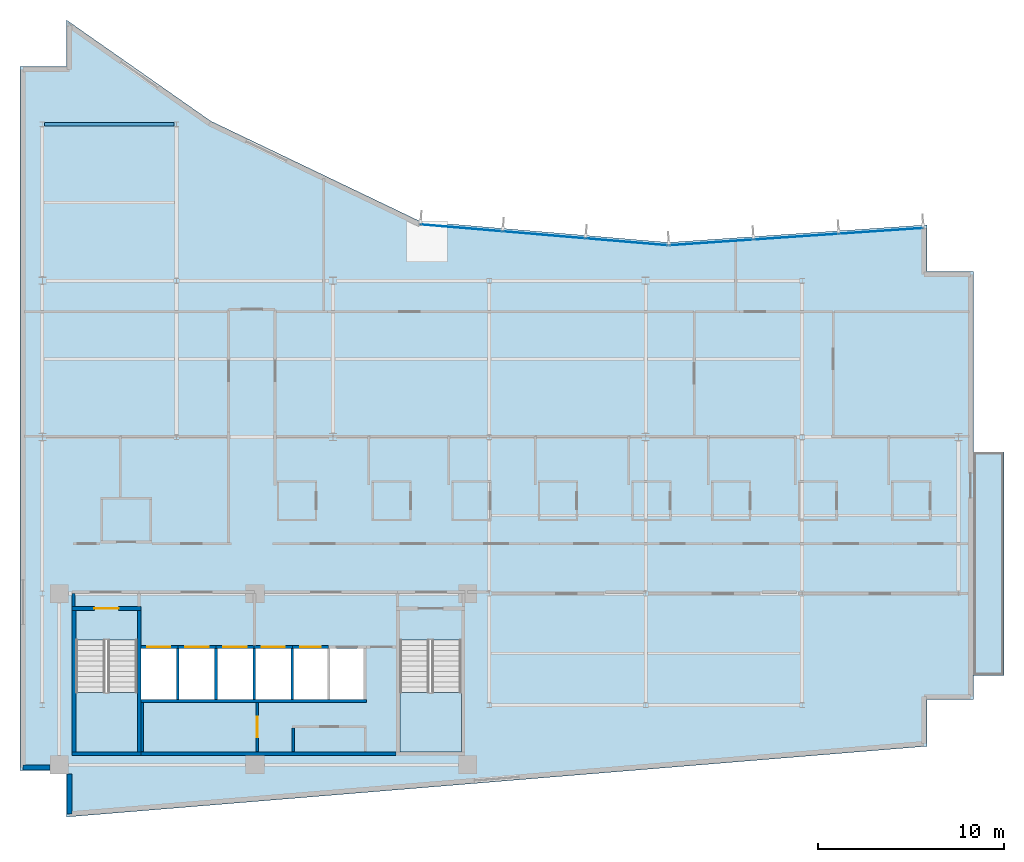
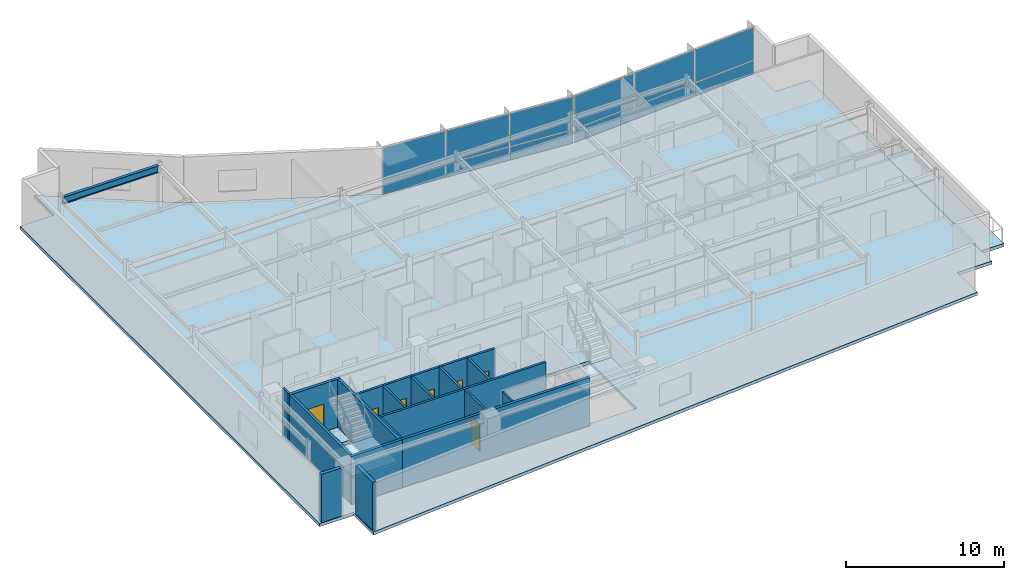
# One storey, part 8 of 15: 21 walls, 12 plates, 7 doors, 4 slabs, 1 beam, 7 openings, 4 elements without a shape of their own.
"""IFC4 building model written with IfcOpenShell, lengths in metres."""

from ifc_helpers import new_model, si_unit, direction, frame, frame_2d, origin, origin_2d, place, context, subcontext, project, spatial, polyline, rectangle, i_section, outline, extrude, material, layer, layer_set, material_profile, profile_set, type_object, element, fill, aggregate, save


model = new_model("IFC4")

# Units and contexts
model_context = context("Model", 3, precision=1e-05, world=origin(), true_north=direction((0.0, 1.0)))
body_context = subcontext(model_context, "Body", "Model", "MODEL_VIEW")
ifc_project = project(units=[si_unit("LENGTHUNIT", "METRE"), si_unit("AREAUNIT", "SQUARE_METRE"), si_unit("VOLUMEUNIT", "CUBIC_METRE"), si_unit("PLANEANGLEUNIT", "RADIAN"), si_unit("MASSUNIT", "GRAM", prefix="KILO")], contexts=[model_context])

# Site, building, storey
site_placement = place(None, origin())
site = spatial("IfcSite", under=ifc_project, at=site_placement, CompositionType="ELEMENT")
building_placement = place(site_placement, origin())
building = spatial("IfcBuilding", under=site, at=building_placement, Name="Varnakote Quay Hospital", CompositionType="ELEMENT")
storey_placement = place(building_placement, frame((0.0, 0.0, 200.0)))
storey = spatial("IfcBuildingStorey", under=building, at=storey_placement, Name="L49", CompositionType="ELEMENT", Elevation=200.0)

# Beam
ifc_material_1 = material(Name="Structural steel AS/NZS 3679.1 Grade 350 L0 (fy 340 MPa)", Category="steel")
ifc_material_profile = material_profile(ifc_material_1, i_section(OverallWidth=0.208984375, OverallDepth=0.532958984375, WebThickness=0.01025390625, FlangeThickness=0.015625, FilletRadius=0.013916015625, at=origin_2d()), Name="530UB92.4")
ifc_profile_set = profile_set([ifc_material_profile], Name="Structural steel AS/NZS 3679.1 Grade 350 L0 (fy 340 MPa)")
beam_type = type_object("IfcBeamType", Name="BM-STL-530UB92-4", PredefinedType="BEAM", material=ifc_profile_set)
beam_placement = place(storey_placement, frame((1.327880859375, 37.199951171875, 3.443603515625), z_axis=(1.0, 0.0, 0.0), x_axis=(0.0, 1.0, 0.0)))
element("IfcBeam", 1, at=beam_placement, inside=storey, type_object=beam_type, Name="L49 Primary Floor Beam", PredefinedType="BEAM", context=body_context, shape_type="SweptSolid", body=[
    extrude(i_section(OverallWidth=0.208984375, OverallDepth=0.532958984375, WebThickness=0.01025390625, FlangeThickness=0.015625, FilletRadius=0.013916015625, at=origin_2d()), origin(), (0.0, 0.0, 1.0), 6.944091796875),
])

# Curtain wall, plates
ifc_material_2 = material(Name="Anodised aluminium 6063-T6 Bronze", Category="aluminium")
ifc_layer_1 = layer(ifc_material_2, 0.219970703125)
ifc_layer_set_1 = layer_set([ifc_layer_1], Name="Anodised aluminium 6063-T6 Bronze")
curtain_wall_type = type_object("IfcCurtainWallType", Name="CW-SYS-4", PredefinedType="NOTDEFINED", material=ifc_layer_set_1)
curtain_wall_1_placement = place(storey_placement, origin())
curtain_wall_1 = element("IfcCurtainWall", 2, at=curtain_wall_1_placement, inside=storey, type_object=curtain_wall_type, Name="L49 Unitised Bronze Curtain Wall 1", PredefinedType="NOTDEFINED")
ifc_material_3 = material(Name="Double-glazed low-E solar glass", Category="glass")
ifc_layer_2 = layer(ifc_material_3, 0.028076171875)
ifc_layer_set_2 = layer_set([ifc_layer_2], Name="Double-glazed low-E solar glass")
plate_type = type_object("IfcPlateType", Name="CW-PNL-GLZ-28", PredefinedType="CURTAIN_PANEL", material=ifc_layer_set_2)
plate_1_placement = place(storey_placement, frame((46.236328125, 31.47216796875, 0.06494140625), z_axis=(0.0, 0.0, 1.0), x_axis=(-0.997696087615, -0.067841851077, 0.0)))
plate_1 = element("IfcPlate", 3, at=plate_1_placement, type_object=plate_type, Name="-4-L49-1 panel 1.1", PredefinedType="CURTAIN_PANEL", context=body_context, shape_type="SweptSolid", body=[
    extrude(rectangle(XDim=4.48828125, YDim=0.028076171875, at=origin_2d()), origin(), (0.0, 0.0, 1.0), 1.00244140625),
])
plate_2_placement = place(storey_placement, frame((46.236328125, 31.47216796875, 1.13232421875), z_axis=(0.0, 0.0, 1.0), x_axis=(-0.997696087615, -0.067841851077, 0.0)))
plate_2 = element("IfcPlate", 4, at=plate_2_placement, type_object=plate_type, Name="-4-L49-1 panel 1.2", PredefinedType="CURTAIN_PANEL", context=body_context, shape_type="SweptSolid", body=[
    extrude(rectangle(XDim=4.48828125, YDim=0.028076171875, at=origin_2d()), origin(), (0.0, 0.0, 1.0), 2.512451171875),
])
plate_3_placement = place(storey_placement, frame((41.67724609375, 31.162109375, 0.06494140625), z_axis=(0.0, 0.0, 1.0), x_axis=(-0.997696087615, -0.067841851077, 0.0)))
plate_3 = element("IfcPlate", 5, at=plate_3_placement, type_object=plate_type, Name="-4-L49-1 panel 2.1", PredefinedType="CURTAIN_PANEL", context=body_context, shape_type="SweptSolid", body=[
    extrude(rectangle(XDim=4.520751953125, YDim=0.028076171875, at=origin_2d()), origin(), (0.0, 0.0, 1.0), 1.00244140625),
])
plate_4_placement = place(storey_placement, frame((41.67724609375, 31.162109375, 1.13232421875), z_axis=(0.0, 0.0, 1.0), x_axis=(-0.997696087615, -0.067841851077, 0.0)))
plate_4 = element("IfcPlate", 6, at=plate_4_placement, type_object=plate_type, Name="-4-L49-1 panel 2.2", PredefinedType="CURTAIN_PANEL", context=body_context, shape_type="SweptSolid", body=[
    extrude(rectangle(XDim=4.520751953125, YDim=0.028076171875, at=origin_2d()), origin(), (0.0, 0.0, 1.0), 2.512451171875),
])
plate_5_placement = place(storey_placement, frame((37.118408203125, 30.85205078125, 0.06494140625), z_axis=(0.0, 0.0, 1.0), x_axis=(-0.997696087615, -0.067841851077, 0.0)))
plate_5 = element("IfcPlate", 7, at=plate_5_placement, type_object=plate_type, Name="-4-L49-1 panel 3.1", PredefinedType="CURTAIN_PANEL", context=body_context, shape_type="SweptSolid", body=[
    extrude(rectangle(XDim=4.48828125, YDim=0.028076171875, at=origin_2d()), origin(), (0.0, 0.0, 1.0), 1.00244140625),
])
plate_6_placement = place(storey_placement, frame((37.118408203125, 30.85205078125, 1.13232421875), z_axis=(0.0, 0.0, 1.0), x_axis=(-0.997696087615, -0.067841851077, 0.0)))
plate_6 = element("IfcPlate", 8, at=plate_6_placement, type_object=plate_type, Name="-4-L49-1 panel 3.2", PredefinedType="CURTAIN_PANEL", context=body_context, shape_type="SweptSolid", body=[
    extrude(rectangle(XDim=4.48828125, YDim=0.028076171875, at=origin_2d()), origin(), (0.0, 0.0, 1.0), 2.512451171875),
])
aggregate(curtain_wall_1, [plate_1, plate_2, plate_3, plate_4, plate_5, plate_6])

curtain_wall_2_placement = place(storey_placement, origin())
curtain_wall_2 = element("IfcCurtainWall", 9, at=curtain_wall_2_placement, inside=storey, type_object=curtain_wall_type, Name="L49 Unitised Bronze Curtain Wall 2", PredefinedType="NOTDEFINED")
plate_7_placement = place(storey_placement, frame((32.572998046875, 30.884765625, 0.06494140625), z_axis=(0.0, 0.0, 1.0), x_axis=(-0.996454277304, 0.084136040089, 0.0)))
plate_7 = element("IfcPlate", 10, at=plate_7_placement, type_object=plate_type, Name="-4-L49-2 panel 1.1", PredefinedType="CURTAIN_PANEL", context=body_context, shape_type="SweptSolid", body=[
    extrude(rectangle(XDim=4.369384765625, YDim=0.028076171875, at=origin_2d()), origin(), (0.0, 0.0, 1.0), 1.00244140625),
])
plate_8_placement = place(storey_placement, frame((32.572998046875, 30.884765625, 1.13232421875), z_axis=(0.0, 0.0, 1.0), x_axis=(-0.996454277304, 0.084136040089, 0.0)))
plate_8 = element("IfcPlate", 11, at=plate_8_placement, type_object=plate_type, Name="-4-L49-2 panel 1.2", PredefinedType="CURTAIN_PANEL", context=body_context, shape_type="SweptSolid", body=[
    extrude(rectangle(XDim=4.369384765625, YDim=0.028076171875, at=origin_2d()), origin(), (0.0, 0.0, 1.0), 2.512451171875),
])
plate_9_placement = place(storey_placement, frame((28.137939453125, 31.25927734375, 0.06494140625), z_axis=(0.0, 0.0, 1.0), x_axis=(-0.996454277304, 0.084136040089, 0.0)))
plate_9 = element("IfcPlate", 12, at=plate_9_placement, type_object=plate_type, Name="-4-L49-2 panel 2.1", PredefinedType="CURTAIN_PANEL", context=body_context, shape_type="SweptSolid", body=[
    extrude(rectangle(XDim=4.40185546875, YDim=0.028076171875, at=origin_2d()), origin(), (0.0, 0.0, 1.0), 1.00244140625),
])
plate_10_placement = place(storey_placement, frame((28.137939453125, 31.25927734375, 1.13232421875), z_axis=(0.0, 0.0, 1.0), x_axis=(-0.996454277304, 0.084136040089, 0.0)))
plate_10 = element("IfcPlate", 13, at=plate_10_placement, type_object=plate_type, Name="-4-L49-2 panel 2.2", PredefinedType="CURTAIN_PANEL", context=body_context, shape_type="SweptSolid", body=[
    extrude(rectangle(XDim=4.40185546875, YDim=0.028076171875, at=origin_2d()), origin(), (0.0, 0.0, 1.0), 2.512451171875),
])
plate_11_placement = place(storey_placement, frame((23.703125, 31.6337890625, 0.06494140625), z_axis=(0.0, 0.0, 1.0), x_axis=(-0.996454277304, 0.084136040089, 0.0)))
plate_11 = element("IfcPlate", 14, at=plate_11_placement, type_object=plate_type, Name="-4-L49-2 panel 3.1", PredefinedType="CURTAIN_PANEL", context=body_context, shape_type="SweptSolid", body=[
    extrude(rectangle(XDim=4.369384765625, YDim=0.028076171875, at=origin_2d()), origin(), (0.0, 0.0, 1.0), 1.00244140625),
])
plate_12_placement = place(storey_placement, frame((23.703125, 31.6337890625, 1.13232421875), z_axis=(0.0, 0.0, 1.0), x_axis=(-0.996454277304, 0.084136040089, 0.0)))
plate_12 = element("IfcPlate", 15, at=plate_12_placement, type_object=plate_type, Name="-4-L49-2 panel 3.2", PredefinedType="CURTAIN_PANEL", context=body_context, shape_type="SweptSolid", body=[
    extrude(rectangle(XDim=4.369384765625, YDim=0.028076171875, at=origin_2d()), origin(), (0.0, 0.0, 1.0), 2.512451171875),
])
aggregate(curtain_wall_2, [plate_7, plate_8, plate_9, plate_10, plate_11, plate_12])

# Stair, slab
ifc_material_4 = material(Name="Concrete N40 (f'c 40 MPa)", Category="concrete")
stair_type = type_object("IfcStairType", Name="STR-CORE-1580", PredefinedType="HALF_TURN_STAIR", material=ifc_material_4)
stair_1_placement = place(storey_placement, origin())
stair_1 = element("IfcStair", 16, at=stair_1_placement, inside=storey, type_object=stair_type, Name="L49 Fire-Isolated Exit Stair ST-01", PredefinedType="HALF_TURN_STAIR")
ifc_material_5 = material(Name="Concrete N40 (f'c 40 MPa)", Category="concrete")
ifc_layer_3 = layer(ifc_material_5, 0.199951171875)
ifc_layer_set_3 = layer_set([ifc_layer_3], Name="Concrete N40 (f'c 40 MPa)")
slab_type_1 = type_object("IfcSlabType", Name="SLB-STAIR-LND-200", PredefinedType="LANDING", material=ifc_layer_set_3)
slab_1_placement = place(storey_placement, frame((0.0, 0.0, 1.77490234375)))
slab_1 = element("IfcSlab", 17, at=slab_1_placement, type_object=slab_type_1, Name="ST-01 landing 1", PredefinedType="LANDING", context=body_context, shape_type="SweptSolid", body=[
    extrude(outline(polyline([(3.0, 6.699951171875), (3.0, 3.5), (6.300048828125, 3.5), (6.300048828125, 6.699951171875), (3.0, 6.699951171875)])), origin(), (0.0, 0.0, 1.0), 0.2001953125),
])
aggregate(stair_1, [slab_1])

stair_2_placement = place(storey_placement, origin())
stair_2 = element("IfcStair", 18, at=stair_2_placement, inside=storey, type_object=stair_type, Name="L49 Fire-Isolated Exit Stair ST-02", PredefinedType="HALF_TURN_STAIR")
slab_2_placement = place(storey_placement, frame((0.0, 0.0, 1.77490234375)))
slab_2 = element("IfcSlab", 19, at=slab_2_placement, type_object=slab_type_1, Name="ST-02 landing 1", PredefinedType="LANDING", context=body_context, shape_type="SweptSolid", body=[
    extrude(outline(polyline([(20.39990234375, 6.699951171875), (20.39990234375, 3.5), (23.699951171875, 3.5), (23.699951171875, 6.699951171875), (20.39990234375, 6.699951171875)])), origin(), (0.0, 0.0, 1.0), 0.2001953125),
])
aggregate(stair_2, [slab_2])

# Slabs
ifc_material_6 = material(Name="Concrete N50 (f'c 50 MPa)", Category="concrete")
ifc_layer_4 = layer(ifc_material_6, 0.239990234375)
ifc_layer_set_4 = layer_set([ifc_layer_4], Name="Concrete N50 (f'c 50 MPa)")
slab_type_2 = type_object("IfcSlabType", Name="SLB-TERR-200", PredefinedType="FLOOR", material=ifc_layer_set_4)
slab_3_placement = place(storey_placement, frame((0.0, 0.0, -0.239990234375)))
element("IfcSlab", 20, at=slab_3_placement, inside=storey, type_object=slab_type_2, Name="L49 Waterfront Healing Terrace Slab", PredefinedType="FLOOR", context=body_context, shape_type="SweptSolid", body=[
    extrude(outline(polyline([(51.196044921875, 19.60009765625), (51.196044921875, 7.60009765625), (52.840087890625, 7.60009765625), (52.840087890625, 19.60009765625), (51.196044921875, 19.60009765625)])), origin(), (0.0, 0.0, 1.0), 0.239990234375),
])
ifc_material_7 = material(Name="Concrete N50 (f'c 50 MPa)", Category="concrete")
ifc_layer_5 = layer(ifc_material_7, 0.239990234375)
ifc_layer_set_5 = layer_set([ifc_layer_5], Name="Concrete N50 (f'c 50 MPa)")
slab_type_3 = type_object("IfcSlabType", Name="SLB-WARD-200", PredefinedType="FLOOR", material=ifc_layer_set_5)
slab_4_placement = place(storey_placement, frame((0.0, 0.0, -0.239990234375)))
element("IfcSlab", 21, at=slab_4_placement, inside=storey, type_object=slab_type_3, Name="L49 Primary Floor Slab", PredefinedType="FLOOR", context=body_context, shape_type="SweptSolid", body=[
    extrude(outline(polyline([(0.0, 2.5), (2.5, 2.5), (2.5, 0.0), (48.699951171875, 3.800048828125), (48.699951171875, 6.300048828125), (51.199951171875, 6.300048828125), (51.199951171875, 29.300048828125), (48.699951171875, 29.300048828125), (48.699951171875, 31.800048828125), (34.81591796875, 30.85595703125), (21.50390625, 31.97998046875), (10.239990234375, 37.3759765625), (2.5, 42.800048828125), (2.5, 40.300048828125), (0.0, 40.300048828125), (0.0, 2.5)]), holes=[polyline([(3.0, 3.5), (6.300048828125, 3.5), (6.300048828125, 9.49951171875), (3.0, 9.49951171875), (3.0, 3.5)]), polyline([(20.39990234375, 3.5), (23.699951171875, 3.5), (23.699951171875, 9.49951171875), (20.39990234375, 9.49951171875), (20.39990234375, 3.5)]), polyline([(6.5, 6.300048828125), (8.39990234375, 6.300048828125), (8.39990234375, 9.050048828125), (6.5, 9.050048828125), (6.5, 6.300048828125)]), polyline([(8.550048828125, 6.300048828125), (10.449951171875, 6.300048828125), (10.449951171875, 9.050048828125), (8.550048828125, 9.050048828125), (8.550048828125, 6.300048828125)]), polyline([(10.60009765625, 6.300048828125), (12.5, 6.300048828125), (12.5, 9.050048828125), (10.60009765625, 9.050048828125), (10.60009765625, 6.300048828125)]), polyline([(12.64990234375, 6.300048828125), (14.550048828125, 6.300048828125), (14.550048828125, 9.050048828125), (12.64990234375, 9.050048828125), (12.64990234375, 6.300048828125)]), polyline([(14.699951171875, 6.300048828125), (16.5, 6.300048828125), (16.5, 9.050048828125), (14.699951171875, 9.050048828125), (14.699951171875, 6.300048828125)]), polyline([(16.64990234375, 6.300048828125), (18.449951171875, 6.300048828125), (18.449951171875, 9.050048828125), (16.64990234375, 9.050048828125), (16.64990234375, 6.300048828125)])]), origin(), (0.0, 0.0, 1.0), 0.239990234375),
])

# Walls
ifc_material_8 = material(Name="Fire-rated acoustic gypsum stud wall", Category="gypsum")
ifc_layer_6 = layer(ifc_material_8, 0.159912109375)
ifc_layer_set_6 = layer_set([ifc_layer_6], Name="Fire-rated acoustic gypsum stud wall")
wall_type_1 = type_object("IfcWallType", Name="WL-COMP-160", PredefinedType="PARTITIONING", material=ifc_layer_set_6)
wall_1_placement = place(storey_placement, frame((2.8798828125, 11.300048828125, 0.0), z_axis=(0.0, 0.0, 1.0), x_axis=(0.0, 1.0, 0.0)))
element("IfcWall", 22, at=wall_1_placement, inside=storey, type_object=wall_type_1, Name="L49 West Stair Vestibule West Wall", PredefinedType="PARTITIONING", context=body_context, shape_type="SweptSolid", body=[
    extrude(rectangle(XDim=0.699951171875, YDim=0.159912109375, at=frame_2d((0.35009765625, 0.0))), origin(), (0.0, 0.0, 1.0), 3.7099609375),
])
ifc_material_9 = material(Name="Concrete N50 (f'c 50 MPa)", Category="concrete")
ifc_layer_7 = layer(ifc_material_9, 0.199951171875)
ifc_layer_set_7 = layer_set([ifc_layer_7], Name="Concrete N50 (f'c 50 MPa)")
wall_type_2 = type_object("IfcWallType", Name="WL-CORE-N50-200", PredefinedType="SHEAR", material=ifc_layer_set_7)
wall_2_placement = place(storey_placement, frame((6.5, 3.39990234375, 0.0), z_axis=(0.0, 0.0, 1.0), x_axis=(1.0, 0.0, 0.0)))
element("IfcWall", 23, at=wall_2_placement, inside=storey, type_object=wall_type_2, Name="L49 Rear Core South Shear Wall", PredefinedType="SHEAR", context=body_context, shape_type="SweptSolid", body=[
    extrude(rectangle(XDim=13.699951171875, YDim=0.199951171875, at=frame_2d((6.85009765625, 0.0))), origin(), (0.0, 0.0, 1.0), 3.7099609375),
])
ifc_material_10 = material(Name="Precast concrete N50 (f'c 50 MPa)", Category="concrete")
ifc_layer_8 = layer(ifc_material_10, 0.260009765625)
ifc_layer_set_8 = layer_set([ifc_layer_8], Name="Precast concrete N50 (f'c 50 MPa)")
wall_type_3 = type_object("IfcWallType", Name="WL-EXT-BRICK-260", PredefinedType="STANDARD", material=ifc_layer_set_8)
wall_3_placement = place(storey_placement, frame((2.659912109375, 2.31494140625, 0.0), z_axis=(0.0, 0.0, 1.0), x_axis=(0.0, -1.0, 0.0)))
element("IfcWall", 24, at=wall_3_placement, inside=storey, type_object=wall_type_3, Name="L49 Brick-Faced Precast Exterior Wall", PredefinedType="STANDARD", context=body_context, shape_type="SweptSolid", body=[
    extrude(rectangle(XDim=2.141357421875, YDim=0.260009765625, at=frame_2d((1.07080078125, 0.0))), origin(), (0.0, 0.0, 1.0), 3.7099609375),
])
wall_4_placement = place(storey_placement, frame((0.159912109375, 2.659912109375, 0.0), z_axis=(0.0, 0.0, 1.0), x_axis=(1.0, 0.0, 0.0)))
element("IfcWall", 25, at=wall_4_placement, inside=storey, type_object=wall_type_3, Name="L49 Brick-Faced Precast Exterior Wall", PredefinedType="STANDARD", context=body_context, shape_type="SweptSolid", body=[
    extrude(rectangle(XDim=1.455078125, YDim=0.260009765625, at=frame_2d((0.7275390625, 0.0))), origin(), (0.0, 0.0, 1.0), 3.7099609375),
])
ifc_material_11 = material(Name="Concrete N50 (f'c 50 MPa)", Category="concrete")
ifc_layer_9 = layer(ifc_material_11, 0.14990234375)
ifc_layer_set_9 = layer_set([ifc_layer_9], Name="Concrete N50 (f'c 50 MPa)")
wall_type_4 = type_object("IfcWallType", Name="WL-SHAFT-N50-150", PredefinedType="SHEAR", material=ifc_layer_set_9)
for number, where, z_axis, x_axis, name in (
    (26, (8.47509765625, 6.300048828125, 0.0), (0.0, 0.0, 1.0), (0.0, 1.0, 0.0), "L49 LF-FF1 Hoistway Divider Wall"),
    (27, (10.52490234375, 6.300048828125, 0.0), (0.0, 0.0, 1.0), (0.0, 1.0, 0.0), "L49 LF-FF2 Hoistway Divider Wall"),
    (28, (12.574951171875, 6.300048828125, 0.0), (0.0, 0.0, 1.0), (0.0, 1.0, 0.0), "L49 LF-SV1 Hoistway Divider Wall"),
    (29, (14.625, 6.300048828125, 0.0), (0.0, 0.0, 1.0), (0.0, 1.0, 0.0), "L49 LF-SV2 Hoistway Divider Wall"),
):
    element("IfcWall", number, at=place(storey_placement, frame(where, z_axis=z_axis, x_axis=x_axis)), inside=storey, type_object=wall_type_4, Name=name, PredefinedType="SHEAR", context=body_context, shape_type="SweptSolid", body=[
        extrude(rectangle(XDim=2.75, YDim=0.14990234375, at=frame_2d((1.375, 0.0))), origin(), (0.0, 0.0, 1.0), 3.7099609375),
    ])
ifc_material_12 = material(Name="Concrete N50 (f'c 50 MPa)", Category="concrete")
ifc_layer_10 = layer(ifc_material_12, 0.159912109375)
ifc_layer_set_10 = layer_set([ifc_layer_10], Name="Concrete N50 (f'c 50 MPa)")
wall_type_5 = type_object("IfcWallType", Name="WL-SHAFT-N50-160", PredefinedType="SHEAR", material=ifc_layer_set_10)
wall_5_placement = place(storey_placement, frame((6.5, 6.219970703125, 0.0), z_axis=(0.0, 0.0, 1.0), x_axis=(1.0, 0.0, 0.0)))
element("IfcWall", 30, at=wall_5_placement, inside=storey, type_object=wall_type_5, Name="L49 REAR Lift Bank Back Shear Wall", PredefinedType="SHEAR", context=body_context, shape_type="SweptSolid", body=[
    extrude(rectangle(XDim=12.110107421875, YDim=0.159912109375, at=frame_2d((6.05517578125, 0.0))), origin(), (0.0, 0.0, 1.0), 3.7099609375),
])

# Wall, opening, door
wall_6_placement = place(storey_placement, frame((6.5, 9.1298828125, 0.0), z_axis=(0.0, 0.0, 1.0), x_axis=(1.0, 0.0, 0.0)))
wall_6 = element("IfcWall", 31, at=wall_6_placement, inside=storey, type_object=wall_type_5, Name="L49 LF-FF1 Hoistway Front Wall", PredefinedType="SHEAR", context=body_context, shape_type="SweptSolid", body=[
    extrude(rectangle(XDim=1.97509765625, YDim=0.159912109375, at=frame_2d((0.987548828125, 0.0))), origin(), (0.0, 0.0, 1.0), 3.7099609375),
])
opening_1_placement = place(wall_6_placement, frame((0.324951171875, 0.0, 0.0)))
opening_1 = element("IfcOpeningElement", 32, at=opening_1_placement, cuts=wall_6, Name="Opening LD-FF1-L49", PredefinedType="OPENING", context=body_context, shape_type="SweptSolid", body=[
    extrude(rectangle(XDim=1.25, YDim=2.14990234375, at=frame_2d((0.625, 1.074951171875))), frame((0.0, 0.08984375, 0.0), z_axis=(0.0, -1.0, 0.0), x_axis=(1.0, 0.0, 0.0)), (0.0, 0.0, 1.0), 0.179931640625),
])
ifc_material_13 = material(Name="Stainless steel lift landing sliding door", Category="steel")
door_type_1 = type_object("IfcDoorType", Name="DR-LIFT-LD-1250x2150", OperationType="NOTDEFINED", PredefinedType="DOOR", material=ifc_material_13)
door_1_placement = place(opening_1_placement, origin())
door_1 = element("IfcDoor", 33, at=door_1_placement, inside=storey, type_object=door_type_1, Name="L49 LF-FF1 Lift Landing Sliding Door", OperationType="SLIDING_TO_LEFT", OverallHeight=2.14990234375, OverallWidth=1.25, PredefinedType="DOOR", context=body_context, shape_type="SweptSolid", body=[
    extrude(rectangle(XDim=1.25, YDim=2.14990234375, at=frame_2d((0.625, 1.074951171875))), frame((0.0, 0.02490234375, 0.0), z_axis=(0.0, -1.0, 0.0), x_axis=(1.0, 0.0, 0.0)), (0.0, 0.0, 1.0), 0.050048828125),
])
fill(opening_1, door_1)

wall_7_placement = place(storey_placement, frame((8.47509765625, 9.1298828125, 0.0), z_axis=(0.0, 0.0, 1.0), x_axis=(1.0, 0.0, 0.0)))
wall_7 = element("IfcWall", 34, at=wall_7_placement, inside=storey, type_object=wall_type_5, Name="L49 LF-FF2 Hoistway Front Wall", PredefinedType="SHEAR", context=body_context, shape_type="SweptSolid", body=[
    extrude(rectangle(XDim=2.0498046875, YDim=0.159912109375, at=frame_2d((1.02490234375, 0.0))), origin(), (0.0, 0.0, 1.0), 3.7099609375),
])
opening_2_placement = place(wall_7_placement, frame((0.39990234375, 0.0, 0.0)))
opening_2 = element("IfcOpeningElement", 35, at=opening_2_placement, cuts=wall_7, Name="Opening LD-FF2-L49", PredefinedType="OPENING", context=body_context, shape_type="SweptSolid", body=[
    extrude(rectangle(XDim=1.25, YDim=2.14990234375, at=frame_2d((0.625, 1.074951171875))), frame((0.0, 0.08984375, 0.0), z_axis=(0.0, -1.0, 0.0), x_axis=(1.0, 0.0, 0.0)), (0.0, 0.0, 1.0), 0.179931640625),
])
door_2_placement = place(opening_2_placement, origin())
door_2 = element("IfcDoor", 36, at=door_2_placement, inside=storey, type_object=door_type_1, Name="L49 LF-FF2 Lift Landing Sliding Door", OperationType="SLIDING_TO_LEFT", OverallHeight=2.14990234375, OverallWidth=1.25, PredefinedType="DOOR", context=body_context, shape_type="SweptSolid", body=[
    extrude(rectangle(XDim=1.25, YDim=2.14990234375, at=frame_2d((0.625, 1.074951171875))), frame((0.0, 0.02490234375, 0.0), z_axis=(0.0, -1.0, 0.0), x_axis=(1.0, 0.0, 0.0)), (0.0, 0.0, 1.0), 0.050048828125),
])
fill(opening_2, door_2)

wall_8_placement = place(storey_placement, frame((10.52490234375, 9.1298828125, 0.0), z_axis=(0.0, 0.0, 1.0), x_axis=(1.0, 0.0, 0.0)))
wall_8 = element("IfcWall", 37, at=wall_8_placement, inside=storey, type_object=wall_type_5, Name="L49 LF-SV1 Hoistway Front Wall", PredefinedType="SHEAR", context=body_context, shape_type="SweptSolid", body=[
    extrude(rectangle(XDim=2.050048828125, YDim=0.159912109375, at=frame_2d((1.02490234375, 0.0))), origin(), (0.0, 0.0, 1.0), 3.7099609375),
])
opening_3_placement = place(wall_8_placement, frame((0.39990234375, 0.0, 0.0)))
opening_3 = element("IfcOpeningElement", 38, at=opening_3_placement, cuts=wall_8, Name="Opening LD-SV1-L49", PredefinedType="OPENING", context=body_context, shape_type="SweptSolid", body=[
    extrude(rectangle(XDim=1.25, YDim=2.14990234375, at=frame_2d((0.625, 1.074951171875))), frame((0.0, 0.08984375, 0.0), z_axis=(0.0, -1.0, 0.0), x_axis=(1.0, 0.0, 0.0)), (0.0, 0.0, 1.0), 0.179931640625),
])
door_3_placement = place(opening_3_placement, origin())
door_3 = element("IfcDoor", 39, at=door_3_placement, inside=storey, type_object=door_type_1, Name="L49 LF-SV1 Lift Landing Sliding Door", OperationType="SLIDING_TO_LEFT", OverallHeight=2.14990234375, OverallWidth=1.25, PredefinedType="DOOR", context=body_context, shape_type="SweptSolid", body=[
    extrude(rectangle(XDim=1.25, YDim=2.14990234375, at=frame_2d((0.625, 1.074951171875))), frame((0.0, 0.02490234375, 0.0), z_axis=(0.0, -1.0, 0.0), x_axis=(1.0, 0.0, 0.0)), (0.0, 0.0, 1.0), 0.050048828125),
])
fill(opening_3, door_3)

wall_9_placement = place(storey_placement, frame((12.574951171875, 9.1298828125, 0.0), z_axis=(0.0, 0.0, 1.0), x_axis=(1.0, 0.0, 0.0)))
wall_9 = element("IfcWall", 40, at=wall_9_placement, inside=storey, type_object=wall_type_5, Name="L49 LF-SV2 Hoistway Front Wall", PredefinedType="SHEAR", context=body_context, shape_type="SweptSolid", body=[
    extrude(rectangle(XDim=2.050048828125, YDim=0.159912109375, at=frame_2d((1.02490234375, 0.0))), origin(), (0.0, 0.0, 1.0), 3.7099609375),
])
opening_4_placement = place(wall_9_placement, frame((0.39990234375, 0.0, 0.0)))
opening_4 = element("IfcOpeningElement", 41, at=opening_4_placement, cuts=wall_9, Name="Opening LD-SV2-L49", PredefinedType="OPENING", context=body_context, shape_type="SweptSolid", body=[
    extrude(rectangle(XDim=1.25, YDim=2.14990234375, at=frame_2d((0.625, 1.074951171875))), frame((0.0, 0.08984375, 0.0), z_axis=(0.0, -1.0, 0.0), x_axis=(1.0, 0.0, 0.0)), (0.0, 0.0, 1.0), 0.179931640625),
])
door_4_placement = place(opening_4_placement, origin())
door_4 = element("IfcDoor", 42, at=door_4_placement, inside=storey, type_object=door_type_1, Name="L49 LF-SV2 Lift Landing Sliding Door", OperationType="SLIDING_TO_LEFT", OverallHeight=2.14990234375, OverallWidth=1.25, PredefinedType="DOOR", context=body_context, shape_type="SweptSolid", body=[
    extrude(rectangle(XDim=1.25, YDim=2.14990234375, at=frame_2d((0.625, 1.074951171875))), frame((0.0, 0.02490234375, 0.0), z_axis=(0.0, -1.0, 0.0), x_axis=(1.0, 0.0, 0.0)), (0.0, 0.0, 1.0), 0.050048828125),
])
fill(opening_4, door_4)

wall_10_placement = place(storey_placement, frame((14.625, 9.1298828125, 0.0), z_axis=(0.0, 0.0, 1.0), x_axis=(1.0, 0.0, 0.0)))
wall_10 = element("IfcWall", 43, at=wall_10_placement, inside=storey, type_object=wall_type_5, Name="L49 LF-PH1 Hoistway Front Wall", PredefinedType="SHEAR", context=body_context, shape_type="SweptSolid", body=[
    extrude(rectangle(XDim=1.949951171875, YDim=0.159912109375, at=frame_2d((0.97509765625, 0.0))), origin(), (0.0, 0.0, 1.0), 3.7099609375),
])
opening_5_placement = place(wall_10_placement, frame((0.425048828125, 0.0, 0.0)))
opening_5 = element("IfcOpeningElement", 44, at=opening_5_placement, cuts=wall_10, Name="Opening LD-PH1-L49", PredefinedType="OPENING", context=body_context, shape_type="SweptSolid", body=[
    extrude(rectangle(XDim=1.10009765625, YDim=2.14990234375, at=frame_2d((0.550048828125, 1.074951171875))), frame((0.0, 0.08984375, 0.0), z_axis=(0.0, -1.0, 0.0), x_axis=(1.0, 0.0, 0.0)), (0.0, 0.0, 1.0), 0.179931640625),
])
ifc_material_14 = material(Name="Brushed bronze lift landing sliding door")
door_type_2 = type_object("IfcDoorType", Name="DR-LIFT-LD-1100x2150", OperationType="NOTDEFINED", PredefinedType="DOOR", material=ifc_material_14)
door_5_placement = place(opening_5_placement, origin())
door_5 = element("IfcDoor", 45, at=door_5_placement, inside=storey, type_object=door_type_2, Name="L49 LF-PH1 Lift Landing Sliding Door", OperationType="SLIDING_TO_LEFT", OverallHeight=2.14990234375, OverallWidth=1.10009765625, PredefinedType="DOOR", context=body_context, shape_type="SweptSolid", body=[
    extrude(rectangle(XDim=1.10009765625, YDim=2.14990234375, at=frame_2d((0.550048828125, 1.074951171875))), frame((0.0, 0.02490234375, 0.0), z_axis=(0.0, -1.0, 0.0), x_axis=(1.0, 0.0, 0.0)), (0.0, 0.0, 1.0), 0.050048828125),
])
fill(opening_5, door_5)

# Walls
ifc_material_15 = material(Name="Concrete N50 (f'c 50 MPa)", Category="concrete")
ifc_layer_11 = layer(ifc_material_15, 0.199951171875)
ifc_layer_set_11 = layer_set([ifc_layer_11], Name="Concrete N50 (f'c 50 MPa)")
wall_type_6 = type_object("IfcWallType", Name="WL-SHAFT-N50-200", PredefinedType="SHEAR", material=ifc_layer_set_11)
wall_11_placement = place(storey_placement, frame((2.800048828125, 3.39990234375, 0.0), z_axis=(0.0, 0.0, 1.0), x_axis=(1.0, 0.0, 0.0)))
element("IfcWall", 46, at=wall_11_placement, inside=storey, type_object=wall_type_6, Name="L49 Stair ST1 South Shaft Wall", PredefinedType="SHEAR", context=body_context, shape_type="SweptSolid", body=[
    extrude(rectangle(XDim=3.699951171875, YDim=0.199951171875, at=frame_2d((1.85009765625, 0.0))), origin(), (0.0, 0.0, 1.0), 3.7099609375),
])
for number, where, z_axis, x_axis, name in (
    (47, (2.89990234375, 3.5, 0.0), (0.0, 0.0, 1.0), (0.0, 1.0, 0.0), "L49 Stair ST1 West Shaft Wall"),
    (48, (6.39990234375, 3.5, 0.0), (0.0, 0.0, 1.0), (0.0, 1.0, 0.0), "L49 Stair ST1 East Shaft Wall"),
):
    element("IfcWall", number, at=place(storey_placement, frame(where, z_axis=z_axis, x_axis=x_axis)), inside=storey, type_object=wall_type_6, Name=name, PredefinedType="SHEAR", context=body_context, shape_type="SweptSolid", body=[
        extrude(rectangle(XDim=7.60009765625, YDim=0.199951171875, at=frame_2d((3.800048828125, 0.0))), origin(), (0.0, 0.0, 1.0), 3.7099609375),
    ])

# Wall, opening, door
wall_12_placement = place(storey_placement, frame((2.800048828125, 11.199951171875, 0.0), z_axis=(0.0, 0.0, 1.0), x_axis=(1.0, 0.0, 0.0)))
wall_12 = element("IfcWall", 49, at=wall_12_placement, inside=storey, type_object=wall_type_6, Name="L49 Stair ST1 Exit Wall", PredefinedType="SHEAR", context=body_context, shape_type="SweptSolid", body=[
    extrude(rectangle(XDim=3.699951171875, YDim=0.199951171875, at=frame_2d((1.85009765625, 0.0))), origin(), (0.0, 0.0, 1.0), 3.7099609375),
])
opening_6_placement = place(wall_12_placement, frame((1.199951171875, 0.0, 0.0)))
opening_6 = element("IfcOpeningElement", 50, at=opening_6_placement, cuts=wall_12, Name="Opening D-ST1-L49", PredefinedType="OPENING", context=body_context, shape_type="SweptSolid", body=[
    extrude(rectangle(XDim=1.300048828125, YDim=2.14990234375, at=frame_2d((0.64990234375, 1.074951171875))), frame((0.0, 0.10986328125, 0.0), z_axis=(0.0, -1.0, 0.0), x_axis=(1.0, 0.0, 0.0)), (0.0, 0.0, 1.0), 0.219970703125),
])
ifc_material_16 = material(Name="Fire-rated ceramic-glazed timber exit door", Category="wood")
door_type_3 = type_object("IfcDoorType", Name="DR-STAIR-FD60S-1300x2150", OperationType="NOTDEFINED", PredefinedType="DOOR", material=ifc_material_16)
door_6_placement = place(opening_6_placement, origin())
door_6 = element("IfcDoor", 51, at=door_6_placement, inside=storey, type_object=door_type_3, Name="L49 Stair ST1 Fire Exit Door", OperationType="SINGLE_SWING_RIGHT", OverallHeight=2.14990234375, OverallWidth=1.300048828125, PredefinedType="DOOR", context=body_context, shape_type="SweptSolid", body=[
    extrude(rectangle(XDim=1.300048828125, YDim=2.14990234375, at=frame_2d((0.64990234375, 1.074951171875))), frame((0.0, 0.02490234375, 0.0), z_axis=(0.0, -1.0, 0.0), x_axis=(1.0, 0.0, 0.0)), (0.0, 0.0, 1.0), 0.050048828125),
])
fill(opening_6, door_6)

# Walls
ifc_material_17 = material(Name="Smoke-proof clinical partition", Category="gypsum")
ifc_layer_12 = layer(ifc_material_17, 0.1201171875)
ifc_layer_set_12 = layer_set([ifc_layer_12], Name="Smoke-proof clinical partition")
wall_type_7 = type_object("IfcWallType", Name="WL-SMOKE-120", PredefinedType="PARTITIONING", material=ifc_layer_set_12)
wall_13_placement = place(storey_placement, frame((6.56005859375, 3.52001953125, 0.0), z_axis=(0.0, 0.0, 1.0), x_axis=(0.0, 1.0, 0.0)))
element("IfcWall", 52, at=wall_13_placement, inside=storey, type_object=wall_type_7, Name="L49 Core West Store West Wall", PredefinedType="PARTITIONING", context=body_context, shape_type="SweptSolid", body=[
    extrude(rectangle(XDim=2.619873046875, YDim=0.1201171875, at=frame_2d((1.31005859375, 0.0))), origin(), (0.0, 0.0, 1.0), 3.7099609375),
])
wall_14_placement = place(storey_placement, frame((14.669921875, 3.52001953125, 0.0), z_axis=(0.0, 0.0, 1.0), x_axis=(0.0, 1.0, 0.0)))
element("IfcWall", 53, at=wall_14_placement, inside=storey, type_object=wall_type_7, Name="L49 Core WC West Wall", PredefinedType="PARTITIONING", context=body_context, shape_type="SweptSolid", body=[
    extrude(rectangle(XDim=1.260009765625, YDim=0.1201171875, at=frame_2d((0.6298828125, 0.0))), origin(), (0.0, 0.0, 1.0), 3.7099609375),
])

# Wall, opening, door
ifc_material_18 = material(Name="Fire-rated clinical gypsum partition", Category="gypsum")
ifc_layer_13 = layer(ifc_material_18, 0.139892578125)
ifc_layer_set_13 = layer_set([ifc_layer_13], Name="Fire-rated clinical gypsum partition")
wall_type_8 = type_object("IfcWallType", Name="WL-WARD-140", PredefinedType="PARTITIONING", material=ifc_layer_set_13)
wall_15_placement = place(storey_placement, frame((12.72998046875, 3.52001953125, 0.0), z_axis=(0.0, 0.0, 1.0), x_axis=(0.0, 1.0, 0.0)))
wall_15 = element("IfcWall", 54, at=wall_15_placement, inside=storey, type_object=wall_type_8, Name="L49 Core Clean Equipment Store East Wall", PredefinedType="PARTITIONING", context=body_context, shape_type="SweptSolid", body=[
    extrude(rectangle(XDim=2.619873046875, YDim=0.139892578125, at=frame_2d((1.31005859375, 0.0))), origin(), (0.0, 0.0, 1.0), 3.7099609375),
])
opening_7_placement = place(wall_15_placement, frame((0.760009765625, 0.0, 0.0)))
opening_7 = element("IfcOpeningElement", 55, at=opening_7_placement, cuts=wall_15, Name="Opening D-L49-CR01", PredefinedType="OPENING", context=body_context, shape_type="SweptSolid", body=[
    extrude(rectangle(XDim=1.10009765625, YDim=2.10009765625, at=frame_2d((0.550048828125, 1.050048828125))), frame((0.0, 0.079833984375, 0.0), z_axis=(0.0, -1.0, 0.0), x_axis=(1.0, 0.0, 0.0)), (0.0, 0.0, 1.0), 0.159912109375),
])
ifc_material_19 = material(Name="Acoustic timber clinical consult door", Category="wood")
door_type_4 = type_object("IfcDoorType", Name="DR-CLIN-FD30S-1100x2100", OperationType="NOTDEFINED", PredefinedType="DOOR", material=ifc_material_19)
door_7_placement = place(opening_7_placement, origin())
door_7 = element("IfcDoor", 56, at=door_7_placement, inside=storey, type_object=door_type_4, Name="L49 Core Clean Equipment Store Door", OperationType="SINGLE_SWING_RIGHT", OverallHeight=2.10009765625, OverallWidth=1.10009765625, PredefinedType="DOOR", context=body_context, shape_type="SweptSolid", body=[
    extrude(rectangle(XDim=1.10009765625, YDim=2.10009765625, at=frame_2d((0.550048828125, 1.050048828125))), frame((0.0, 0.02490234375, 0.0), z_axis=(0.0, -1.0, 0.0), x_axis=(1.0, 0.0, 0.0)), (0.0, 0.0, 1.0), 0.050048828125),
])
fill(opening_7, door_7)

save(model, "model.ifc")
